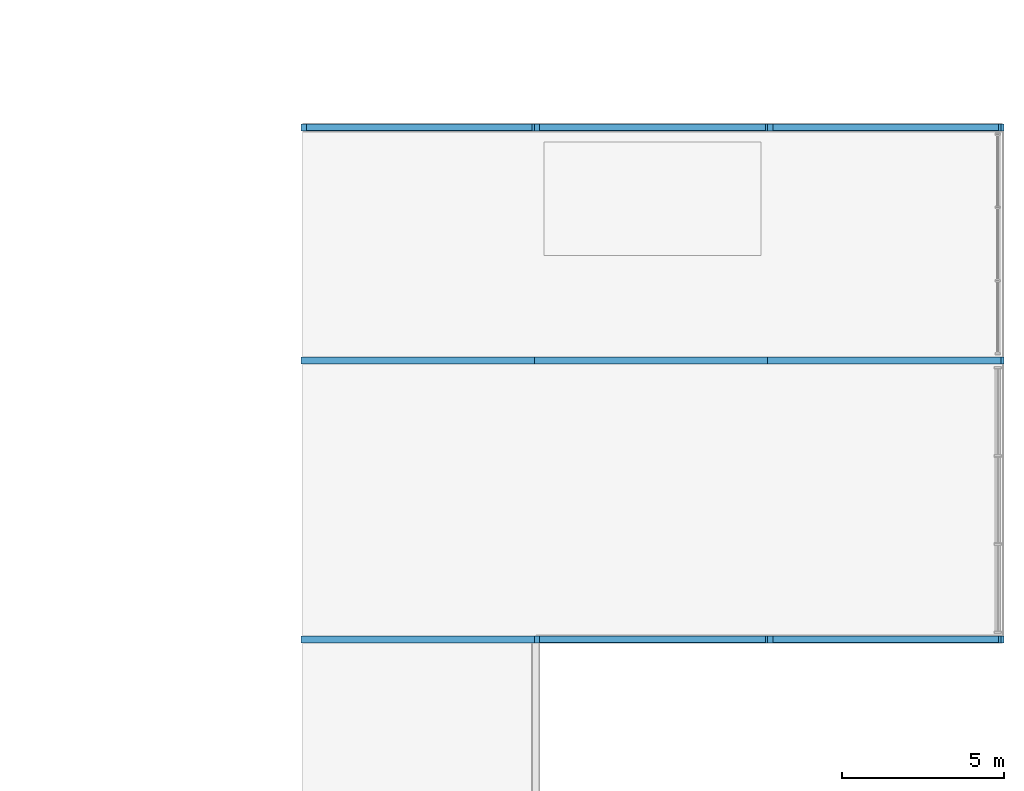
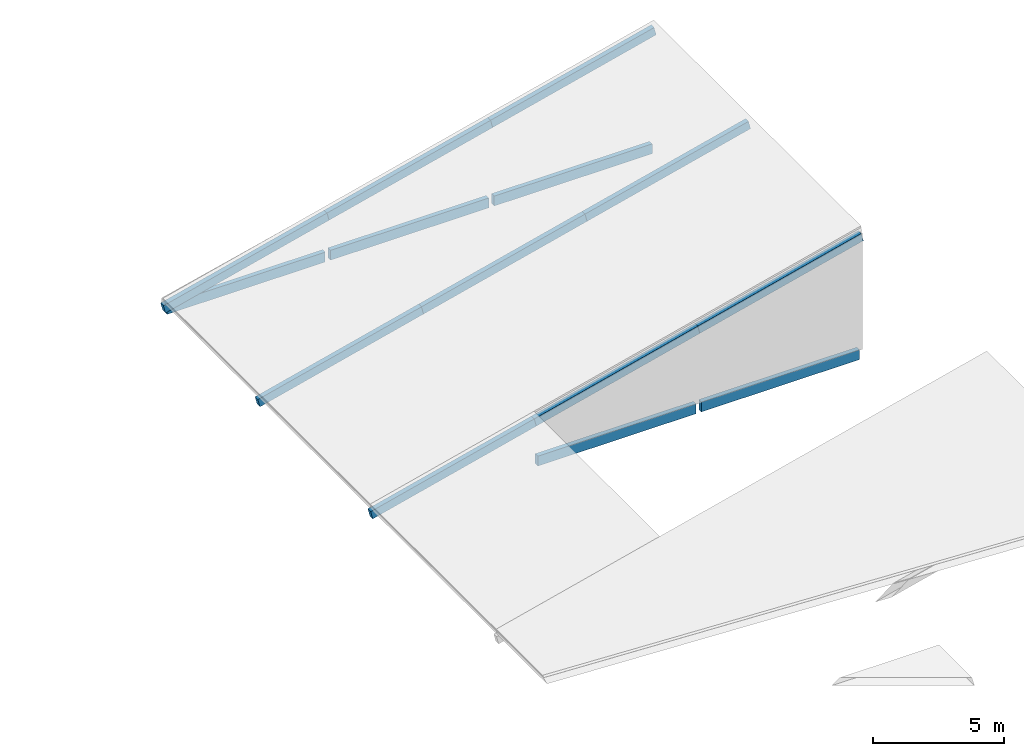
# One storey, part 30 of 57: 9 members, 5 beams.
"""IFC4 building model written with IfcOpenShell, lengths in metres."""

from ifc_helpers import new_model, si_unit, direction, frame, origin, origin_2d, place, context, subcontext, project, spatial, rectangle, extrude, material, material_profile, profile_set, type_object, element, save


model = new_model("IFC4")

# Units and contexts
model_context = context("Model", 3, precision=1e-05, world=origin(), true_north=direction((0.0, 1.0)))
body_context = subcontext(model_context, "Body", "Model", "MODEL_VIEW")
ifc_project = project(units=[si_unit("LENGTHUNIT", "METRE"), si_unit("AREAUNIT", "SQUARE_METRE"), si_unit("VOLUMEUNIT", "CUBIC_METRE"), si_unit("PLANEANGLEUNIT", "RADIAN"), si_unit("MASSUNIT", "GRAM", prefix="KILO")], contexts=[model_context])

# Site, building, storey
site_placement = place(None, origin())
site = spatial("IfcSite", under=ifc_project, at=site_placement, CompositionType="ELEMENT")
building_placement = place(site_placement, origin())
building = spatial("IfcBuilding", under=site, at=building_placement, Name="Hawrajan Terrace Health Centre", CompositionType="ELEMENT")
storey_placement = place(building_placement, frame((0.0, 0.0, 13.199951171875)))
storey = spatial("IfcBuildingStorey", under=building, at=storey_placement, Name="L03", CompositionType="ELEMENT", Elevation=13.199951171875)

# Beams
ifc_material = material(Name="Glulam GL32h", Category="wood")
ifc_material_profile_1 = material_profile(ifc_material, rectangle(XDim=0.199951171875, YDim=0.4599609375, at=origin_2d()), Name="GL SP 200x460")
ifc_profile_set_1 = profile_set([ifc_material_profile_1], Name="Glulam GL32h")
beam_type = type_object("IfcBeamType", Name="GlulamSpandrel_200x460", PredefinedType="SPANDREL", material=ifc_profile_set_1)
for number, where, z_axis, x_axis, name in (
    (1, (151.1201171875, 36.800048828125, -0.429931640625), (1.0, 0.0, 0.0), (0.0, 1.0, 0.0), "Pavilion eave spandrel BM-V6-EAVE-NC1"),
    (2, (158.320068359375, 36.800048828125, -0.429931640625), (1.0, 0.0, 0.0), (0.0, 1.0, 0.0), "Pavilion eave spandrel BM-V6-EAVE-NC2"),
    (3, (143.919921875, 52.60009765625, -0.429931640625), (1.0, 0.0, 0.0), (0.0, 1.0, 0.0), "Pavilion eave spandrel BM-V6-EAVE-N1"),
    (4, (151.1201171875, 52.60009765625, -0.429931640625), (1.0, 0.0, 0.0), (0.0, 1.0, 0.0), "Pavilion eave spandrel BM-V6-EAVE-N2"),
    (5, (158.320068359375, 52.60009765625, -0.429931640625), (1.0, 0.0, 0.0), (0.0, 1.0, 0.0), "Pavilion eave spandrel BM-V6-EAVE-N3"),
):
    element("IfcBeam", number, at=place(storey_placement, frame(where, z_axis=z_axis, x_axis=x_axis)), inside=storey, type_object=beam_type, Name=name, PredefinedType="SPANDREL", context=body_context, shape_type="SweptSolid", body=[
        extrude(rectangle(XDim=0.199951171875, YDim=0.4599609375, at=origin_2d()), origin(), (0.0, 0.0, 1.0), 6.9599609375),
    ])

# Members
ifc_material_profile_2 = material_profile(ifc_material, rectangle(XDim=0.219970703125, YDim=0.3798828125, at=origin_2d()), Name="GL CHD 220x380")
ifc_profile_set_2 = profile_set([ifc_material_profile_2], Name="Glulam GL32h")
member_type = type_object("IfcMemberType", Name="RoofRafter_220x380", PredefinedType="RAFTER", material=ifc_profile_set_2)
for number, where, z_axis, x_axis, name in (
    (6, (143.800048828125, 36.800048828125, -0.3798828125), (0.970295202119, 0.0, 0.24192399787), (0.0, 1.0, 0.0), "Pavilion rafter NORTH-Y5-X19"),
    (7, (151.0, 36.800048828125, 1.415283203125), (0.970295202119, 0.0, 0.24192399787), (0.0, 1.0, 0.0), "Pavilion rafter NORTH-Y5-X20"),
    (8, (158.199951171875, 36.800048828125, 3.21044921875), (0.970295202119, 0.0, 0.24192399787), (0.0, 1.0, 0.0), "Pavilion rafter NORTH-Y5-X21"),
    (9, (143.800048828125, 45.39990234375, -0.3798828125), (0.970295202119, 0.0, 0.24192399787), (0.0, 1.0, 0.0), "Pavilion rafter NORTH-Y6-X19"),
    (10, (151.0, 45.39990234375, 1.415283203125), (0.970295202119, 0.0, 0.24192399787), (0.0, 1.0, 0.0), "Pavilion rafter NORTH-Y6-X20"),
    (11, (158.199951171875, 45.39990234375, 3.21044921875), (0.970295202119, 0.0, 0.24192399787), (0.0, 1.0, 0.0), "Pavilion rafter NORTH-Y6-X21"),
    (12, (143.800048828125, 52.60009765625, -0.3798828125), (0.970295202119, 0.0, 0.24192399787), (0.0, 1.0, 0.0), "Pavilion rafter NORTH-Y7-X19"),
    (13, (151.0, 52.60009765625, 1.415283203125), (0.970295202119, 0.0, 0.24192399787), (0.0, 1.0, 0.0), "Pavilion rafter NORTH-Y7-X20"),
    (14, (158.199951171875, 52.60009765625, 3.21044921875), (0.970295202119, 0.0, 0.24192399787), (0.0, 1.0, 0.0), "Pavilion rafter NORTH-Y7-X21"),
):
    element("IfcMember", number, at=place(storey_placement, frame(where, z_axis=z_axis, x_axis=x_axis)), inside=storey, type_object=member_type, Name=name, PredefinedType="RAFTER", context=body_context, shape_type="SweptSolid", body=[
        extrude(rectangle(XDim=0.219970703125, YDim=0.3798828125, at=origin_2d()), origin(), (0.0, 0.0, 1.0), 7.42041015625),
    ])

save(model, "model.ifc")
